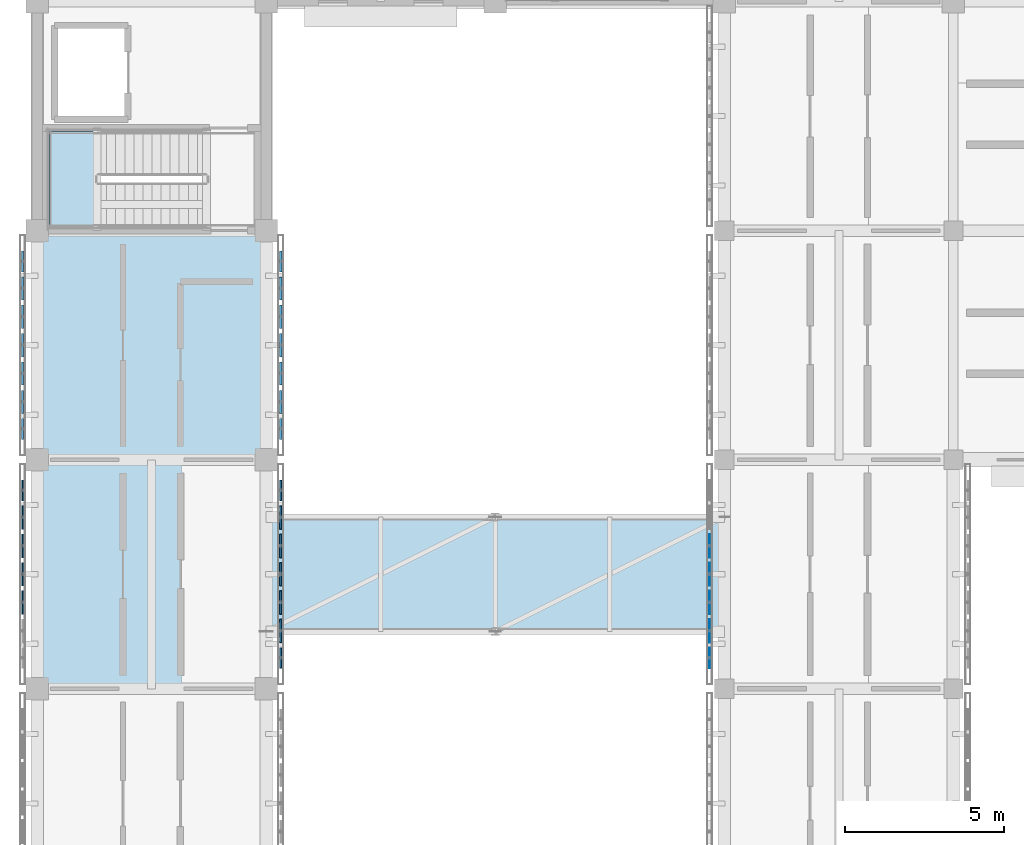
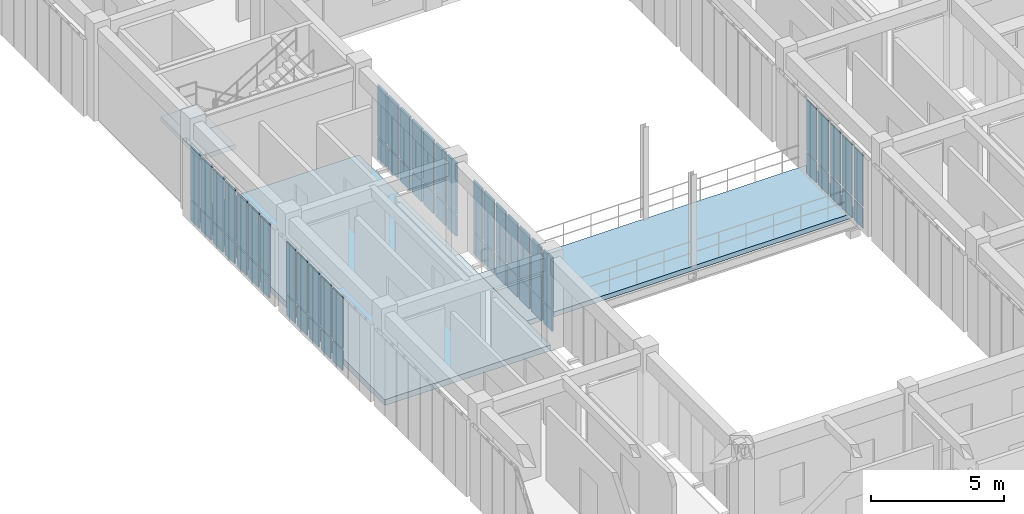
# One storey, part 99 of 171: 62 plates, 3 slabs, 6 elements without a shape of their own.
"""IFC4 building model written with IfcOpenShell, lengths in metres."""

from ifc_helpers import new_model, si_unit, direction, frame, origin, origin_2d, place, context, subcontext, project, spatial, polyline, rectangle, outline, extrude, material, layer, layer_set, type_object, element, aggregate, save


model = new_model("IFC4")

# Units and contexts
model_context = context("Model", 3, precision=1e-05, world=origin(), true_north=direction((0.0, 1.0)))
body_context = subcontext(model_context, "Body", "Model", "MODEL_VIEW")
ifc_project = project(units=[si_unit("LENGTHUNIT", "METRE"), si_unit("AREAUNIT", "SQUARE_METRE"), si_unit("VOLUMEUNIT", "CUBIC_METRE"), si_unit("PLANEANGLEUNIT", "RADIAN"), si_unit("MASSUNIT", "GRAM", prefix="KILO")], contexts=[model_context])

# Site, building, storey
site_placement = place(None, origin())
site = spatial("IfcSite", under=ifc_project, at=site_placement, CompositionType="ELEMENT")
building_placement = place(site_placement, origin())
building = spatial("IfcBuilding", under=site, at=building_placement, Name="Aldebral Square Health Centre", CompositionType="ELEMENT")
storey_placement = place(building_placement, frame((0.0, 0.0, 4.5)))
storey = spatial("IfcBuildingStorey", under=building, at=storey_placement, Name="L01", CompositionType="ELEMENT", Elevation=4.5)

# Curtain wall, plates
ifc_material_1 = material(Name="Aluminium and low-E solar glass", Category="aluminium")
curtain_wall_type = type_object("IfcCurtainWallType", Name="CW-FIN-SYS", PredefinedType="USERDEFINED", material=ifc_material_1)
curtain_wall_1_placement = place(storey_placement, origin())
curtain_wall_1 = element("IfcCurtainWall", 1, at=curtain_wall_1_placement, inside=storey, type_object=curtain_wall_type, Name="L01 V4 finned curtain wall L01-V4-03-11-W", ObjectType="SOLAR_CURTAIN_WALL", PredefinedType="USERDEFINED")
ifc_material_2 = material(Name="Solar-control low-E double glass", Category="glass")
ifc_layer_1 = layer(ifc_material_2, 0.030029296875, Name="Solar-control low-E double glass", Category="glass")
ifc_layer_set_1 = layer_set([ifc_layer_1], Name="Solar-control low-E double glass")
plate_type_1 = type_object("IfcPlateType", Name="CWP-GLZ-2", PredefinedType="CURTAIN_PANEL", material=ifc_layer_set_1)
plate_1_placement = place(storey_placement, frame((21.139892578125, 83.69140625, 0.074951171875), z_axis=(0.0, 0.0, 1.0), x_axis=(0.0, -1.0, 0.0)))
plate_1 = element("IfcPlate", 2, at=plate_1_placement, type_object=plate_type_1, Name="CW1 panel 3.1", PredefinedType="CURTAIN_PANEL", context=body_context, shape_type="SweptSolid", body=[
    extrude(rectangle(XDim=0.7314453125, YDim=0.030029296875, at=origin_2d()), origin(), (0.0, 0.0, 1.0), 0.9375),
])
plate_2_placement = place(storey_placement, frame((21.139892578125, 83.69140625, 1.087646484375), z_axis=(0.0, 0.0, 1.0), x_axis=(0.0, -1.0, 0.0)))
plate_2 = element("IfcPlate", 3, at=plate_2_placement, type_object=plate_type_1, Name="CW1 panel 3.2", PredefinedType="CURTAIN_PANEL", context=body_context, shape_type="SweptSolid", body=[
    extrude(rectangle(XDim=0.7314453125, YDim=0.030029296875, at=origin_2d()), origin(), (0.0, 0.0, 1.0), 2.357421875),
])
plate_3_placement = place(storey_placement, frame((21.139892578125, 82.800048828125, 0.074951171875), z_axis=(0.0, 0.0, 1.0), x_axis=(0.0, -1.0, 0.0)))
plate_3 = element("IfcPlate", 4, at=plate_3_placement, type_object=plate_type_1, Name="CW1 panel 4.1", PredefinedType="CURTAIN_PANEL", context=body_context, shape_type="SweptSolid", body=[
    extrude(rectangle(XDim=0.7314453125, YDim=0.030029296875, at=origin_2d()), origin(), (0.0, 0.0, 1.0), 0.9375),
])
plate_4_placement = place(storey_placement, frame((21.139892578125, 82.800048828125, 1.087646484375), z_axis=(0.0, 0.0, 1.0), x_axis=(0.0, -1.0, 0.0)))
plate_4 = element("IfcPlate", 5, at=plate_4_placement, type_object=plate_type_1, Name="CW1 panel 4.2", PredefinedType="CURTAIN_PANEL", context=body_context, shape_type="SweptSolid", body=[
    extrude(rectangle(XDim=0.7314453125, YDim=0.030029296875, at=origin_2d()), origin(), (0.0, 0.0, 1.0), 2.357421875),
])
plate_5_placement = place(storey_placement, frame((21.139892578125, 81.90869140625, 0.074951171875), z_axis=(0.0, 0.0, 1.0), x_axis=(0.0, -1.0, 0.0)))
plate_5 = element("IfcPlate", 6, at=plate_5_placement, type_object=plate_type_1, Name="CW1 panel 5.1", PredefinedType="CURTAIN_PANEL", context=body_context, shape_type="SweptSolid", body=[
    extrude(rectangle(XDim=0.7314453125, YDim=0.030029296875, at=origin_2d()), origin(), (0.0, 0.0, 1.0), 0.9375),
])
plate_6_placement = place(storey_placement, frame((21.139892578125, 81.90869140625, 1.087646484375), z_axis=(0.0, 0.0, 1.0), x_axis=(0.0, -1.0, 0.0)))
plate_6 = element("IfcPlate", 7, at=plate_6_placement, type_object=plate_type_1, Name="CW1 panel 5.2", PredefinedType="CURTAIN_PANEL", context=body_context, shape_type="SweptSolid", body=[
    extrude(rectangle(XDim=0.7314453125, YDim=0.030029296875, at=origin_2d()), origin(), (0.0, 0.0, 1.0), 2.357421875),
])
plate_7_placement = place(storey_placement, frame((21.139892578125, 81.01708984375, 0.074951171875), z_axis=(0.0, 0.0, 1.0), x_axis=(0.0, -1.0, 0.0)))
plate_7 = element("IfcPlate", 8, at=plate_7_placement, type_object=plate_type_1, Name="CW1 panel 6.1", PredefinedType="CURTAIN_PANEL", context=body_context, shape_type="SweptSolid", body=[
    extrude(rectangle(XDim=0.7314453125, YDim=0.030029296875, at=origin_2d()), origin(), (0.0, 0.0, 1.0), 0.9375),
])
plate_8_placement = place(storey_placement, frame((21.139892578125, 81.01708984375, 1.087646484375), z_axis=(0.0, 0.0, 1.0), x_axis=(0.0, -1.0, 0.0)))
plate_8 = element("IfcPlate", 9, at=plate_8_placement, type_object=plate_type_1, Name="CW1 panel 6.2", PredefinedType="CURTAIN_PANEL", context=body_context, shape_type="SweptSolid", body=[
    extrude(rectangle(XDim=0.7314453125, YDim=0.030029296875, at=origin_2d()), origin(), (0.0, 0.0, 1.0), 2.357421875),
])
plate_9_placement = place(storey_placement, frame((21.139892578125, 80.165771484375, 0.074951171875), z_axis=(0.0, 0.0, 1.0), x_axis=(0.0, -1.0, 0.0)))
plate_9 = element("IfcPlate", 10, at=plate_9_placement, type_object=plate_type_1, Name="CW1 panel 7.1", PredefinedType="CURTAIN_PANEL", context=body_context, shape_type="SweptSolid", body=[
    extrude(rectangle(XDim=0.6513671875, YDim=0.030029296875, at=origin_2d()), origin(), (0.0, 0.0, 1.0), 0.9375),
])
plate_10_placement = place(storey_placement, frame((21.139892578125, 80.165771484375, 1.087646484375), z_axis=(0.0, 0.0, 1.0), x_axis=(0.0, -1.0, 0.0)))
plate_10 = element("IfcPlate", 11, at=plate_10_placement, type_object=plate_type_1, Name="CW1 panel 7.2", PredefinedType="CURTAIN_PANEL", context=body_context, shape_type="SweptSolid", body=[
    extrude(rectangle(XDim=0.6513671875, YDim=0.030029296875, at=origin_2d()), origin(), (0.0, 0.0, 1.0), 2.357421875),
])
aggregate(curtain_wall_1, [plate_1, plate_2, plate_3, plate_4, plate_5, plate_6, plate_7, plate_8, plate_9, plate_10])

curtain_wall_2_placement = place(storey_placement, origin())
curtain_wall_2 = element("IfcCurtainWall", 12, at=curtain_wall_2_placement, inside=storey, type_object=curtain_wall_type, Name="L01 V4 finned curtain wall L01-V4-00-11-W", ObjectType="SOLAR_CURTAIN_WALL", PredefinedType="USERDEFINED")
ifc_layer_2 = layer(ifc_material_2, 0.050048828125, Name="Solar-control low-E double glass", Category="glass")
ifc_layer_set_2 = layer_set([ifc_layer_2], Name="Solar-control low-E double glass")
plate_type_2 = type_object("IfcPlateType", Name="CWP-GLZ-4", PredefinedType="CURTAIN_PANEL", material=ifc_layer_set_2)
plate_11_placement = place(storey_placement, frame((-0.4599609375, 85.434326171875, 0.074951171875), z_axis=(0.0, 0.0, 1.0), x_axis=(0.0, -1.0, 0.0)))
plate_11 = element("IfcPlate", 13, at=plate_11_placement, type_object=plate_type_2, Name="CW1 panel 1.1", PredefinedType="CURTAIN_PANEL", context=body_context, shape_type="SweptSolid", body=[
    extrude(rectangle(XDim=0.6513671875, YDim=0.050048828125, at=origin_2d()), origin(), (0.0, 0.0, 1.0), 0.9375),
])
plate_12_placement = place(storey_placement, frame((-0.4599609375, 85.434326171875, 1.087646484375), z_axis=(0.0, 0.0, 1.0), x_axis=(0.0, -1.0, 0.0)))
plate_12 = element("IfcPlate", 14, at=plate_12_placement, type_object=plate_type_2, Name="CW1 panel 1.2", PredefinedType="CURTAIN_PANEL", context=body_context, shape_type="SweptSolid", body=[
    extrude(rectangle(XDim=0.6513671875, YDim=0.050048828125, at=origin_2d()), origin(), (0.0, 0.0, 1.0), 2.357421875),
])
plate_13_placement = place(storey_placement, frame((-0.4599609375, 84.582763671875, 0.074951171875), z_axis=(0.0, 0.0, 1.0), x_axis=(0.0, -1.0, 0.0)))
plate_13 = element("IfcPlate", 15, at=plate_13_placement, type_object=plate_type_2, Name="CW1 panel 2.1", PredefinedType="CURTAIN_PANEL", context=body_context, shape_type="SweptSolid", body=[
    extrude(rectangle(XDim=0.7314453125, YDim=0.050048828125, at=origin_2d()), origin(), (0.0, 0.0, 1.0), 0.9375),
])
plate_14_placement = place(storey_placement, frame((-0.4599609375, 84.582763671875, 1.087646484375), z_axis=(0.0, 0.0, 1.0), x_axis=(0.0, -1.0, 0.0)))
plate_14 = element("IfcPlate", 16, at=plate_14_placement, type_object=plate_type_2, Name="CW1 panel 2.2", PredefinedType="CURTAIN_PANEL", context=body_context, shape_type="SweptSolid", body=[
    extrude(rectangle(XDim=0.7314453125, YDim=0.050048828125, at=origin_2d()), origin(), (0.0, 0.0, 1.0), 2.357421875),
])
plate_15_placement = place(storey_placement, frame((-0.4599609375, 83.69140625, 0.074951171875), z_axis=(0.0, 0.0, 1.0), x_axis=(0.0, -1.0, 0.0)))
plate_15 = element("IfcPlate", 17, at=plate_15_placement, type_object=plate_type_2, Name="CW1 panel 3.1", PredefinedType="CURTAIN_PANEL", context=body_context, shape_type="SweptSolid", body=[
    extrude(rectangle(XDim=0.7314453125, YDim=0.050048828125, at=origin_2d()), origin(), (0.0, 0.0, 1.0), 0.9375),
])
plate_16_placement = place(storey_placement, frame((-0.4599609375, 83.69140625, 1.087646484375), z_axis=(0.0, 0.0, 1.0), x_axis=(0.0, -1.0, 0.0)))
plate_16 = element("IfcPlate", 18, at=plate_16_placement, type_object=plate_type_2, Name="CW1 panel 3.2", PredefinedType="CURTAIN_PANEL", context=body_context, shape_type="SweptSolid", body=[
    extrude(rectangle(XDim=0.7314453125, YDim=0.050048828125, at=origin_2d()), origin(), (0.0, 0.0, 1.0), 2.357421875),
])
plate_17_placement = place(storey_placement, frame((-0.4599609375, 82.800048828125, 0.074951171875), z_axis=(0.0, 0.0, 1.0), x_axis=(0.0, -1.0, 0.0)))
plate_17 = element("IfcPlate", 19, at=plate_17_placement, type_object=plate_type_2, Name="CW1 panel 4.1", PredefinedType="CURTAIN_PANEL", context=body_context, shape_type="SweptSolid", body=[
    extrude(rectangle(XDim=0.7314453125, YDim=0.050048828125, at=origin_2d()), origin(), (0.0, 0.0, 1.0), 0.9375),
])
plate_18_placement = place(storey_placement, frame((-0.4599609375, 82.800048828125, 1.087646484375), z_axis=(0.0, 0.0, 1.0), x_axis=(0.0, -1.0, 0.0)))
plate_18 = element("IfcPlate", 20, at=plate_18_placement, type_object=plate_type_2, Name="CW1 panel 4.2", PredefinedType="CURTAIN_PANEL", context=body_context, shape_type="SweptSolid", body=[
    extrude(rectangle(XDim=0.7314453125, YDim=0.050048828125, at=origin_2d()), origin(), (0.0, 0.0, 1.0), 2.357421875),
])
plate_19_placement = place(storey_placement, frame((-0.4599609375, 81.90869140625, 0.074951171875), z_axis=(0.0, 0.0, 1.0), x_axis=(0.0, -1.0, 0.0)))
plate_19 = element("IfcPlate", 21, at=plate_19_placement, type_object=plate_type_2, Name="CW1 panel 5.1", PredefinedType="CURTAIN_PANEL", context=body_context, shape_type="SweptSolid", body=[
    extrude(rectangle(XDim=0.7314453125, YDim=0.050048828125, at=origin_2d()), origin(), (0.0, 0.0, 1.0), 0.9375),
])
plate_20_placement = place(storey_placement, frame((-0.4599609375, 81.90869140625, 1.087646484375), z_axis=(0.0, 0.0, 1.0), x_axis=(0.0, -1.0, 0.0)))
plate_20 = element("IfcPlate", 22, at=plate_20_placement, type_object=plate_type_2, Name="CW1 panel 5.2", PredefinedType="CURTAIN_PANEL", context=body_context, shape_type="SweptSolid", body=[
    extrude(rectangle(XDim=0.7314453125, YDim=0.050048828125, at=origin_2d()), origin(), (0.0, 0.0, 1.0), 2.357421875),
])
aggregate(curtain_wall_2, [plate_11, plate_12, plate_13, plate_14, plate_15, plate_16, plate_17, plate_18, plate_19, plate_20])

curtain_wall_3_placement = place(storey_placement, origin())
curtain_wall_3 = element("IfcCurtainWall", 23, at=curtain_wall_3_placement, inside=storey, type_object=curtain_wall_type, Name="L01 V4 finned curtain wall L01-V4-00-11-E", ObjectType="SOLAR_CURTAIN_WALL", PredefinedType="USERDEFINED")
ifc_layer_3 = layer(ifc_material_2, 0.06005859375, Name="Solar-control low-E double glass", Category="glass")
ifc_layer_set_3 = layer_set([ifc_layer_3], Name="Solar-control low-E double glass")
plate_type_3 = type_object("IfcPlateType", Name="CWP-GLZ-5", PredefinedType="CURTAIN_PANEL", material=ifc_layer_set_3)
plate_21_placement = place(storey_placement, frame((7.659912109375, 80.165771484375, 0.074951171875), z_axis=(0.0, 0.0, 1.0), x_axis=(0.0, 1.0, 0.0)))
plate_21 = element("IfcPlate", 24, at=plate_21_placement, type_object=plate_type_3, Name="CW1 panel 1.1", PredefinedType="CURTAIN_PANEL", context=body_context, shape_type="SweptSolid", body=[
    extrude(rectangle(XDim=0.6513671875, YDim=0.06005859375, at=origin_2d()), origin(), (0.0, 0.0, 1.0), 0.9375),
])
plate_22_placement = place(storey_placement, frame((7.659912109375, 80.165771484375, 1.087646484375), z_axis=(0.0, 0.0, 1.0), x_axis=(0.0, 1.0, 0.0)))
plate_22 = element("IfcPlate", 25, at=plate_22_placement, type_object=plate_type_3, Name="CW1 panel 1.2", PredefinedType="CURTAIN_PANEL", context=body_context, shape_type="SweptSolid", body=[
    extrude(rectangle(XDim=0.6513671875, YDim=0.06005859375, at=origin_2d()), origin(), (0.0, 0.0, 1.0), 2.357421875),
])
plate_23_placement = place(storey_placement, frame((7.659912109375, 81.01708984375, 0.074951171875), z_axis=(0.0, 0.0, 1.0), x_axis=(0.0, 1.0, 0.0)))
plate_23 = element("IfcPlate", 26, at=plate_23_placement, type_object=plate_type_3, Name="CW1 panel 2.1", PredefinedType="CURTAIN_PANEL", context=body_context, shape_type="SweptSolid", body=[
    extrude(rectangle(XDim=0.7314453125, YDim=0.06005859375, at=origin_2d()), origin(), (0.0, 0.0, 1.0), 0.9375),
])
plate_24_placement = place(storey_placement, frame((7.659912109375, 81.01708984375, 1.087646484375), z_axis=(0.0, 0.0, 1.0), x_axis=(0.0, 1.0, 0.0)))
plate_24 = element("IfcPlate", 27, at=plate_24_placement, type_object=plate_type_3, Name="CW1 panel 2.2", PredefinedType="CURTAIN_PANEL", context=body_context, shape_type="SweptSolid", body=[
    extrude(rectangle(XDim=0.7314453125, YDim=0.06005859375, at=origin_2d()), origin(), (0.0, 0.0, 1.0), 2.357421875),
])
plate_25_placement = place(storey_placement, frame((7.659912109375, 81.90869140625, 0.074951171875), z_axis=(0.0, 0.0, 1.0), x_axis=(0.0, 1.0, 0.0)))
plate_25 = element("IfcPlate", 28, at=plate_25_placement, type_object=plate_type_3, Name="CW1 panel 3.1", PredefinedType="CURTAIN_PANEL", context=body_context, shape_type="SweptSolid", body=[
    extrude(rectangle(XDim=0.7314453125, YDim=0.06005859375, at=origin_2d()), origin(), (0.0, 0.0, 1.0), 0.9375),
])
plate_26_placement = place(storey_placement, frame((7.659912109375, 81.90869140625, 1.087646484375), z_axis=(0.0, 0.0, 1.0), x_axis=(0.0, 1.0, 0.0)))
plate_26 = element("IfcPlate", 29, at=plate_26_placement, type_object=plate_type_3, Name="CW1 panel 3.2", PredefinedType="CURTAIN_PANEL", context=body_context, shape_type="SweptSolid", body=[
    extrude(rectangle(XDim=0.7314453125, YDim=0.06005859375, at=origin_2d()), origin(), (0.0, 0.0, 1.0), 2.357421875),
])
plate_27_placement = place(storey_placement, frame((7.659912109375, 82.800048828125, 0.074951171875), z_axis=(0.0, 0.0, 1.0), x_axis=(0.0, 1.0, 0.0)))
plate_27 = element("IfcPlate", 30, at=plate_27_placement, type_object=plate_type_3, Name="CW1 panel 4.1", PredefinedType="CURTAIN_PANEL", context=body_context, shape_type="SweptSolid", body=[
    extrude(rectangle(XDim=0.7314453125, YDim=0.06005859375, at=origin_2d()), origin(), (0.0, 0.0, 1.0), 0.9375),
])
plate_28_placement = place(storey_placement, frame((7.659912109375, 82.800048828125, 1.087646484375), z_axis=(0.0, 0.0, 1.0), x_axis=(0.0, 1.0, 0.0)))
plate_28 = element("IfcPlate", 31, at=plate_28_placement, type_object=plate_type_3, Name="CW1 panel 4.2", PredefinedType="CURTAIN_PANEL", context=body_context, shape_type="SweptSolid", body=[
    extrude(rectangle(XDim=0.7314453125, YDim=0.06005859375, at=origin_2d()), origin(), (0.0, 0.0, 1.0), 2.357421875),
])
plate_29_placement = place(storey_placement, frame((7.659912109375, 83.69140625, 0.074951171875), z_axis=(0.0, 0.0, 1.0), x_axis=(0.0, 1.0, 0.0)))
plate_29 = element("IfcPlate", 32, at=plate_29_placement, type_object=plate_type_3, Name="CW1 panel 5.1", PredefinedType="CURTAIN_PANEL", context=body_context, shape_type="SweptSolid", body=[
    extrude(rectangle(XDim=0.7314453125, YDim=0.06005859375, at=origin_2d()), origin(), (0.0, 0.0, 1.0), 0.9375),
])
plate_30_placement = place(storey_placement, frame((7.659912109375, 83.69140625, 1.087646484375), z_axis=(0.0, 0.0, 1.0), x_axis=(0.0, 1.0, 0.0)))
plate_30 = element("IfcPlate", 33, at=plate_30_placement, type_object=plate_type_3, Name="CW1 panel 5.2", PredefinedType="CURTAIN_PANEL", context=body_context, shape_type="SweptSolid", body=[
    extrude(rectangle(XDim=0.7314453125, YDim=0.06005859375, at=origin_2d()), origin(), (0.0, 0.0, 1.0), 2.357421875),
])
plate_31_placement = place(storey_placement, frame((7.659912109375, 84.582763671875, 0.074951171875), z_axis=(0.0, 0.0, 1.0), x_axis=(0.0, 1.0, 0.0)))
plate_31 = element("IfcPlate", 34, at=plate_31_placement, type_object=plate_type_3, Name="CW1 panel 6.1", PredefinedType="CURTAIN_PANEL", context=body_context, shape_type="SweptSolid", body=[
    extrude(rectangle(XDim=0.7314453125, YDim=0.06005859375, at=origin_2d()), origin(), (0.0, 0.0, 1.0), 0.9375),
])
plate_32_placement = place(storey_placement, frame((7.659912109375, 84.582763671875, 1.087646484375), z_axis=(0.0, 0.0, 1.0), x_axis=(0.0, 1.0, 0.0)))
plate_32 = element("IfcPlate", 35, at=plate_32_placement, type_object=plate_type_3, Name="CW1 panel 6.2", PredefinedType="CURTAIN_PANEL", context=body_context, shape_type="SweptSolid", body=[
    extrude(rectangle(XDim=0.7314453125, YDim=0.06005859375, at=origin_2d()), origin(), (0.0, 0.0, 1.0), 2.357421875),
])
plate_33_placement = place(storey_placement, frame((7.659912109375, 85.434326171875, 0.074951171875), z_axis=(0.0, 0.0, 1.0), x_axis=(0.0, 1.0, 0.0)))
plate_33 = element("IfcPlate", 36, at=plate_33_placement, type_object=plate_type_3, Name="CW1 panel 7.1", PredefinedType="CURTAIN_PANEL", context=body_context, shape_type="SweptSolid", body=[
    extrude(rectangle(XDim=0.6513671875, YDim=0.06005859375, at=origin_2d()), origin(), (0.0, 0.0, 1.0), 0.9375),
])
plate_34_placement = place(storey_placement, frame((7.659912109375, 85.434326171875, 1.087646484375), z_axis=(0.0, 0.0, 1.0), x_axis=(0.0, 1.0, 0.0)))
plate_34 = element("IfcPlate", 37, at=plate_34_placement, type_object=plate_type_3, Name="CW1 panel 7.2", PredefinedType="CURTAIN_PANEL", context=body_context, shape_type="SweptSolid", body=[
    extrude(rectangle(XDim=0.6513671875, YDim=0.06005859375, at=origin_2d()), origin(), (0.0, 0.0, 1.0), 2.357421875),
])
aggregate(curtain_wall_3, [plate_21, plate_22, plate_23, plate_24, plate_25, plate_26, plate_27, plate_28, plate_29, plate_30, plate_31, plate_32, plate_33, plate_34])

curtain_wall_4_placement = place(storey_placement, origin())
curtain_wall_4 = element("IfcCurtainWall", 38, at=curtain_wall_4_placement, inside=storey, type_object=curtain_wall_type, Name="L01 V4 finned curtain wall L01-V4-00-12-W", ObjectType="SOLAR_CURTAIN_WALL", PredefinedType="USERDEFINED")
ifc_layer_4 = layer(ifc_material_2, 0.070068359375, Name="Solar-control low-E double glass", Category="glass")
ifc_layer_set_4 = layer_set([ifc_layer_4], Name="Solar-control low-E double glass")
plate_type_4 = type_object("IfcPlateType", Name="CWP-GLZ-6", PredefinedType="CURTAIN_PANEL", material=ifc_layer_set_4)
plate_35_placement = place(storey_placement, frame((-0.4599609375, 92.63427734375, 0.074951171875), z_axis=(0.0, 0.0, 1.0), x_axis=(0.0, -1.0, 0.0)))
plate_35 = element("IfcPlate", 39, at=plate_35_placement, type_object=plate_type_4, Name="CW1 panel 1.1", PredefinedType="CURTAIN_PANEL", context=body_context, shape_type="SweptSolid", body=[
    extrude(rectangle(XDim=0.6513671875, YDim=0.070068359375, at=origin_2d()), origin(), (0.0, 0.0, 1.0), 0.9375),
])
plate_36_placement = place(storey_placement, frame((-0.4599609375, 92.63427734375, 1.087646484375), z_axis=(0.0, 0.0, 1.0), x_axis=(0.0, -1.0, 0.0)))
plate_36 = element("IfcPlate", 40, at=plate_36_placement, type_object=plate_type_4, Name="CW1 panel 1.2", PredefinedType="CURTAIN_PANEL", context=body_context, shape_type="SweptSolid", body=[
    extrude(rectangle(XDim=0.6513671875, YDim=0.070068359375, at=origin_2d()), origin(), (0.0, 0.0, 1.0), 2.357421875),
])
plate_37_placement = place(storey_placement, frame((-0.4599609375, 91.782958984375, 0.074951171875), z_axis=(0.0, 0.0, 1.0), x_axis=(0.0, -1.0, 0.0)))
plate_37 = element("IfcPlate", 41, at=plate_37_placement, type_object=plate_type_4, Name="CW1 panel 2.1", PredefinedType="CURTAIN_PANEL", context=body_context, shape_type="SweptSolid", body=[
    extrude(rectangle(XDim=0.7314453125, YDim=0.070068359375, at=origin_2d()), origin(), (0.0, 0.0, 1.0), 0.9375),
])
plate_38_placement = place(storey_placement, frame((-0.4599609375, 91.782958984375, 1.087646484375), z_axis=(0.0, 0.0, 1.0), x_axis=(0.0, -1.0, 0.0)))
plate_38 = element("IfcPlate", 42, at=plate_38_placement, type_object=plate_type_4, Name="CW1 panel 2.2", PredefinedType="CURTAIN_PANEL", context=body_context, shape_type="SweptSolid", body=[
    extrude(rectangle(XDim=0.7314453125, YDim=0.070068359375, at=origin_2d()), origin(), (0.0, 0.0, 1.0), 2.357421875),
])
plate_39_placement = place(storey_placement, frame((-0.4599609375, 90.891357421875, 0.074951171875), z_axis=(0.0, 0.0, 1.0), x_axis=(0.0, -1.0, 0.0)))
plate_39 = element("IfcPlate", 43, at=plate_39_placement, type_object=plate_type_4, Name="CW1 panel 3.1", PredefinedType="CURTAIN_PANEL", context=body_context, shape_type="SweptSolid", body=[
    extrude(rectangle(XDim=0.7314453125, YDim=0.070068359375, at=origin_2d()), origin(), (0.0, 0.0, 1.0), 0.9375),
])
plate_40_placement = place(storey_placement, frame((-0.4599609375, 90.891357421875, 1.087646484375), z_axis=(0.0, 0.0, 1.0), x_axis=(0.0, -1.0, 0.0)))
plate_40 = element("IfcPlate", 44, at=plate_40_placement, type_object=plate_type_4, Name="CW1 panel 3.2", PredefinedType="CURTAIN_PANEL", context=body_context, shape_type="SweptSolid", body=[
    extrude(rectangle(XDim=0.7314453125, YDim=0.070068359375, at=origin_2d()), origin(), (0.0, 0.0, 1.0), 2.357421875),
])
plate_41_placement = place(storey_placement, frame((-0.4599609375, 90.0, 0.074951171875), z_axis=(0.0, 0.0, 1.0), x_axis=(0.0, -1.0, 0.0)))
plate_41 = element("IfcPlate", 45, at=plate_41_placement, type_object=plate_type_4, Name="CW1 panel 4.1", PredefinedType="CURTAIN_PANEL", context=body_context, shape_type="SweptSolid", body=[
    extrude(rectangle(XDim=0.7314453125, YDim=0.070068359375, at=origin_2d()), origin(), (0.0, 0.0, 1.0), 0.9375),
])
plate_42_placement = place(storey_placement, frame((-0.4599609375, 90.0, 1.087646484375), z_axis=(0.0, 0.0, 1.0), x_axis=(0.0, -1.0, 0.0)))
plate_42 = element("IfcPlate", 46, at=plate_42_placement, type_object=plate_type_4, Name="CW1 panel 4.2", PredefinedType="CURTAIN_PANEL", context=body_context, shape_type="SweptSolid", body=[
    extrude(rectangle(XDim=0.7314453125, YDim=0.070068359375, at=origin_2d()), origin(), (0.0, 0.0, 1.0), 2.357421875),
])
plate_43_placement = place(storey_placement, frame((-0.4599609375, 89.108642578125, 0.074951171875), z_axis=(0.0, 0.0, 1.0), x_axis=(0.0, -1.0, 0.0)))
plate_43 = element("IfcPlate", 47, at=plate_43_placement, type_object=plate_type_4, Name="CW1 panel 5.1", PredefinedType="CURTAIN_PANEL", context=body_context, shape_type="SweptSolid", body=[
    extrude(rectangle(XDim=0.7314453125, YDim=0.070068359375, at=origin_2d()), origin(), (0.0, 0.0, 1.0), 0.9375),
])
plate_44_placement = place(storey_placement, frame((-0.4599609375, 89.108642578125, 1.087646484375), z_axis=(0.0, 0.0, 1.0), x_axis=(0.0, -1.0, 0.0)))
plate_44 = element("IfcPlate", 48, at=plate_44_placement, type_object=plate_type_4, Name="CW1 panel 5.2", PredefinedType="CURTAIN_PANEL", context=body_context, shape_type="SweptSolid", body=[
    extrude(rectangle(XDim=0.7314453125, YDim=0.070068359375, at=origin_2d()), origin(), (0.0, 0.0, 1.0), 2.357421875),
])
plate_45_placement = place(storey_placement, frame((-0.4599609375, 88.217041015625, 0.074951171875), z_axis=(0.0, 0.0, 1.0), x_axis=(0.0, -1.0, 0.0)))
plate_45 = element("IfcPlate", 49, at=plate_45_placement, type_object=plate_type_4, Name="CW1 panel 6.1", PredefinedType="CURTAIN_PANEL", context=body_context, shape_type="SweptSolid", body=[
    extrude(rectangle(XDim=0.7314453125, YDim=0.070068359375, at=origin_2d()), origin(), (0.0, 0.0, 1.0), 0.9375),
])
plate_46_placement = place(storey_placement, frame((-0.4599609375, 88.217041015625, 1.087646484375), z_axis=(0.0, 0.0, 1.0), x_axis=(0.0, -1.0, 0.0)))
plate_46 = element("IfcPlate", 50, at=plate_46_placement, type_object=plate_type_4, Name="CW1 panel 6.2", PredefinedType="CURTAIN_PANEL", context=body_context, shape_type="SweptSolid", body=[
    extrude(rectangle(XDim=0.7314453125, YDim=0.070068359375, at=origin_2d()), origin(), (0.0, 0.0, 1.0), 2.357421875),
])
plate_47_placement = place(storey_placement, frame((-0.4599609375, 87.36572265625, 0.074951171875), z_axis=(0.0, 0.0, 1.0), x_axis=(0.0, -1.0, 0.0)))
plate_47 = element("IfcPlate", 51, at=plate_47_placement, type_object=plate_type_4, Name="CW1 panel 7.1", PredefinedType="CURTAIN_PANEL", context=body_context, shape_type="SweptSolid", body=[
    extrude(rectangle(XDim=0.6513671875, YDim=0.070068359375, at=origin_2d()), origin(), (0.0, 0.0, 1.0), 0.9375),
])
plate_48_placement = place(storey_placement, frame((-0.4599609375, 87.36572265625, 1.087646484375), z_axis=(0.0, 0.0, 1.0), x_axis=(0.0, -1.0, 0.0)))
plate_48 = element("IfcPlate", 52, at=plate_48_placement, type_object=plate_type_4, Name="CW1 panel 7.2", PredefinedType="CURTAIN_PANEL", context=body_context, shape_type="SweptSolid", body=[
    extrude(rectangle(XDim=0.6513671875, YDim=0.070068359375, at=origin_2d()), origin(), (0.0, 0.0, 1.0), 2.357421875),
])
aggregate(curtain_wall_4, [plate_35, plate_36, plate_37, plate_38, plate_39, plate_40, plate_41, plate_42, plate_43, plate_44, plate_45, plate_46, plate_47, plate_48])

curtain_wall_5_placement = place(storey_placement, origin())
curtain_wall_5 = element("IfcCurtainWall", 53, at=curtain_wall_5_placement, inside=storey, type_object=curtain_wall_type, Name="L01 V4 finned curtain wall L01-V4-00-12-E", ObjectType="SOLAR_CURTAIN_WALL", PredefinedType="USERDEFINED")
ifc_layer_5 = layer(ifc_material_2, 0.080078125, Name="Solar-control low-E double glass", Category="glass")
ifc_layer_set_5 = layer_set([ifc_layer_5], Name="Solar-control low-E double glass")
plate_type_5 = type_object("IfcPlateType", Name="CWP-GLZ-7", PredefinedType="CURTAIN_PANEL", material=ifc_layer_set_5)
plate_49_placement = place(storey_placement, frame((7.659912109375, 87.36572265625, 0.074951171875), z_axis=(0.0, 0.0, 1.0), x_axis=(0.0, 1.0, 0.0)))
plate_49 = element("IfcPlate", 54, at=plate_49_placement, type_object=plate_type_5, Name="CW1 panel 1.1", PredefinedType="CURTAIN_PANEL", context=body_context, shape_type="SweptSolid", body=[
    extrude(rectangle(XDim=0.6513671875, YDim=0.080078125, at=origin_2d()), origin(), (0.0, 0.0, 1.0), 0.9375),
])
plate_50_placement = place(storey_placement, frame((7.659912109375, 87.36572265625, 1.087646484375), z_axis=(0.0, 0.0, 1.0), x_axis=(0.0, 1.0, 0.0)))
plate_50 = element("IfcPlate", 55, at=plate_50_placement, type_object=plate_type_5, Name="CW1 panel 1.2", PredefinedType="CURTAIN_PANEL", context=body_context, shape_type="SweptSolid", body=[
    extrude(rectangle(XDim=0.6513671875, YDim=0.080078125, at=origin_2d()), origin(), (0.0, 0.0, 1.0), 2.357421875),
])
plate_51_placement = place(storey_placement, frame((7.659912109375, 88.217041015625, 0.074951171875), z_axis=(0.0, 0.0, 1.0), x_axis=(0.0, 1.0, 0.0)))
plate_51 = element("IfcPlate", 56, at=plate_51_placement, type_object=plate_type_5, Name="CW1 panel 2.1", PredefinedType="CURTAIN_PANEL", context=body_context, shape_type="SweptSolid", body=[
    extrude(rectangle(XDim=0.7314453125, YDim=0.080078125, at=origin_2d()), origin(), (0.0, 0.0, 1.0), 0.9375),
])
plate_52_placement = place(storey_placement, frame((7.659912109375, 88.217041015625, 1.087646484375), z_axis=(0.0, 0.0, 1.0), x_axis=(0.0, 1.0, 0.0)))
plate_52 = element("IfcPlate", 57, at=plate_52_placement, type_object=plate_type_5, Name="CW1 panel 2.2", PredefinedType="CURTAIN_PANEL", context=body_context, shape_type="SweptSolid", body=[
    extrude(rectangle(XDim=0.7314453125, YDim=0.080078125, at=origin_2d()), origin(), (0.0, 0.0, 1.0), 2.357421875),
])
plate_53_placement = place(storey_placement, frame((7.659912109375, 89.108642578125, 0.074951171875), z_axis=(0.0, 0.0, 1.0), x_axis=(0.0, 1.0, 0.0)))
plate_53 = element("IfcPlate", 58, at=plate_53_placement, type_object=plate_type_5, Name="CW1 panel 3.1", PredefinedType="CURTAIN_PANEL", context=body_context, shape_type="SweptSolid", body=[
    extrude(rectangle(XDim=0.7314453125, YDim=0.080078125, at=origin_2d()), origin(), (0.0, 0.0, 1.0), 0.9375),
])
plate_54_placement = place(storey_placement, frame((7.659912109375, 89.108642578125, 1.087646484375), z_axis=(0.0, 0.0, 1.0), x_axis=(0.0, 1.0, 0.0)))
plate_54 = element("IfcPlate", 59, at=plate_54_placement, type_object=plate_type_5, Name="CW1 panel 3.2", PredefinedType="CURTAIN_PANEL", context=body_context, shape_type="SweptSolid", body=[
    extrude(rectangle(XDim=0.7314453125, YDim=0.080078125, at=origin_2d()), origin(), (0.0, 0.0, 1.0), 2.357421875),
])
plate_55_placement = place(storey_placement, frame((7.659912109375, 90.0, 0.074951171875), z_axis=(0.0, 0.0, 1.0), x_axis=(0.0, 1.0, 0.0)))
plate_55 = element("IfcPlate", 60, at=plate_55_placement, type_object=plate_type_5, Name="CW1 panel 4.1", PredefinedType="CURTAIN_PANEL", context=body_context, shape_type="SweptSolid", body=[
    extrude(rectangle(XDim=0.7314453125, YDim=0.080078125, at=origin_2d()), origin(), (0.0, 0.0, 1.0), 0.9375),
])
plate_56_placement = place(storey_placement, frame((7.659912109375, 90.0, 1.087646484375), z_axis=(0.0, 0.0, 1.0), x_axis=(0.0, 1.0, 0.0)))
plate_56 = element("IfcPlate", 61, at=plate_56_placement, type_object=plate_type_5, Name="CW1 panel 4.2", PredefinedType="CURTAIN_PANEL", context=body_context, shape_type="SweptSolid", body=[
    extrude(rectangle(XDim=0.7314453125, YDim=0.080078125, at=origin_2d()), origin(), (0.0, 0.0, 1.0), 2.357421875),
])
plate_57_placement = place(storey_placement, frame((7.659912109375, 90.891357421875, 0.074951171875), z_axis=(0.0, 0.0, 1.0), x_axis=(0.0, 1.0, 0.0)))
plate_57 = element("IfcPlate", 62, at=plate_57_placement, type_object=plate_type_5, Name="CW1 panel 5.1", PredefinedType="CURTAIN_PANEL", context=body_context, shape_type="SweptSolid", body=[
    extrude(rectangle(XDim=0.7314453125, YDim=0.080078125, at=origin_2d()), origin(), (0.0, 0.0, 1.0), 0.9375),
])
plate_58_placement = place(storey_placement, frame((7.659912109375, 90.891357421875, 1.087646484375), z_axis=(0.0, 0.0, 1.0), x_axis=(0.0, 1.0, 0.0)))
plate_58 = element("IfcPlate", 63, at=plate_58_placement, type_object=plate_type_5, Name="CW1 panel 5.2", PredefinedType="CURTAIN_PANEL", context=body_context, shape_type="SweptSolid", body=[
    extrude(rectangle(XDim=0.7314453125, YDim=0.080078125, at=origin_2d()), origin(), (0.0, 0.0, 1.0), 2.357421875),
])
plate_59_placement = place(storey_placement, frame((7.659912109375, 91.782958984375, 0.074951171875), z_axis=(0.0, 0.0, 1.0), x_axis=(0.0, 1.0, 0.0)))
plate_59 = element("IfcPlate", 64, at=plate_59_placement, type_object=plate_type_5, Name="CW1 panel 6.1", PredefinedType="CURTAIN_PANEL", context=body_context, shape_type="SweptSolid", body=[
    extrude(rectangle(XDim=0.7314453125, YDim=0.080078125, at=origin_2d()), origin(), (0.0, 0.0, 1.0), 0.9375),
])
plate_60_placement = place(storey_placement, frame((7.659912109375, 91.782958984375, 1.087646484375), z_axis=(0.0, 0.0, 1.0), x_axis=(0.0, 1.0, 0.0)))
plate_60 = element("IfcPlate", 65, at=plate_60_placement, type_object=plate_type_5, Name="CW1 panel 6.2", PredefinedType="CURTAIN_PANEL", context=body_context, shape_type="SweptSolid", body=[
    extrude(rectangle(XDim=0.7314453125, YDim=0.080078125, at=origin_2d()), origin(), (0.0, 0.0, 1.0), 2.357421875),
])
plate_61_placement = place(storey_placement, frame((7.659912109375, 92.63427734375, 0.074951171875), z_axis=(0.0, 0.0, 1.0), x_axis=(0.0, 1.0, 0.0)))
plate_61 = element("IfcPlate", 66, at=plate_61_placement, type_object=plate_type_5, Name="CW1 panel 7.1", PredefinedType="CURTAIN_PANEL", context=body_context, shape_type="SweptSolid", body=[
    extrude(rectangle(XDim=0.6513671875, YDim=0.080078125, at=origin_2d()), origin(), (0.0, 0.0, 1.0), 0.9375),
])
plate_62_placement = place(storey_placement, frame((7.659912109375, 92.63427734375, 1.087646484375), z_axis=(0.0, 0.0, 1.0), x_axis=(0.0, 1.0, 0.0)))
plate_62 = element("IfcPlate", 67, at=plate_62_placement, type_object=plate_type_5, Name="CW1 panel 7.2", PredefinedType="CURTAIN_PANEL", context=body_context, shape_type="SweptSolid", body=[
    extrude(rectangle(XDim=0.6513671875, YDim=0.080078125, at=origin_2d()), origin(), (0.0, 0.0, 1.0), 2.357421875),
])
aggregate(curtain_wall_5, [plate_49, plate_50, plate_51, plate_52, plate_53, plate_54, plate_55, plate_56, plate_57, plate_58, plate_59, plate_60, plate_61, plate_62])

# Slabs
ifc_material_3 = material(Name="Concrete C35/45", Category="concrete")
ifc_layer_6 = layer(ifc_material_3, 0.219970703125, Name="Concrete C35/45", Category="concrete")
ifc_layer_set_6 = layer_set([ifc_layer_6], Name="Concrete C35/45")
slab_type_1 = type_object("IfcSlabType", Name="SL-BRG-220", PredefinedType="FLOOR", material=ifc_layer_set_6)
slab_1_placement = place(storey_placement, frame((0.0, 0.0, -0.219970703125)))
element("IfcSlab", 68, at=slab_1_placement, inside=storey, type_object=slab_type_1, Name="West Light Court Bridge L01 deck slab", PredefinedType="FLOOR", context=body_context, shape_type="SweptSolid", body=[
    extrude(outline(polyline([(7.199951171875, 81.0), (21.60009765625, 81.0), (21.60009765625, 84.60009765625), (7.199951171875, 84.60009765625), (7.199951171875, 81.0)])), origin(), (0.0, 0.0, 1.0), 0.219970703125),
])
ifc_layer_7 = layer(ifc_material_3, 0.27001953125, Name="Concrete C35/45", Category="concrete")
ifc_layer_set_7 = layer_set([ifc_layer_7], Name="Concrete C35/45")
slab_type_2 = type_object("IfcSlabType", Name="SL-FLR-270", PredefinedType="FLOOR", material=ifc_layer_set_7)
slab_2_placement = place(storey_placement, frame((0.0, 0.0, -0.27001953125)))
element("IfcSlab", 69, at=slab_2_placement, inside=storey, type_object=slab_type_2, Name="L01 V4 floor slab 3", PredefinedType="FLOOR", context=body_context, shape_type="SweptSolid", body=[
    extrude(outline(polyline([(0.0, 79.199951171875), (0.0, 86.39990234375), (0.0, 93.60009765625), (7.199951171875, 93.60009765625), (7.199951171875, 86.39990234375), (7.199951171875, 79.199951171875), (0.0, 79.199951171875)])), origin(), (0.0, 0.0, 1.0), 0.27001953125),
])

# Stair, slab
stair_type = type_object("IfcStairType", Name="ST-DOG-140", PredefinedType="HALF_TURN_STAIR", material=ifc_material_3)
stair_placement = place(storey_placement, origin())
stair = element("IfcStair", 70, at=stair_placement, inside=storey, type_object=stair_type, Name="L01 ST-01", PredefinedType="HALF_TURN_STAIR")
ifc_layer_8 = layer(ifc_material_3, 0.199951171875, Name="Concrete C35/45", Category="concrete")
ifc_layer_set_8 = layer_set([ifc_layer_8], Name="Concrete C35/45")
slab_type_3 = type_object("IfcSlabType", Name="SL-LND-200", PredefinedType="LANDING", material=ifc_layer_set_8)
slab_3_placement = place(storey_placement, frame((0.0, 0.0, 2.050048828125)))
slab_3 = element("IfcSlab", 71, at=slab_3_placement, type_object=slab_type_3, Name="ST-01 landing 1", PredefinedType="LANDING", context=body_context, shape_type="SweptSolid", body=[
    extrude(outline(polyline([(1.89990234375, 96.719970703125), (0.3798828125, 96.719970703125), (0.3798828125, 93.719970703125), (1.89990234375, 93.719970703125), (1.89990234375, 96.719970703125)])), origin(), (0.0, 0.0, 1.0), 0.199951171875),
])
aggregate(stair, [slab_3])

save(model, "model.ifc")
